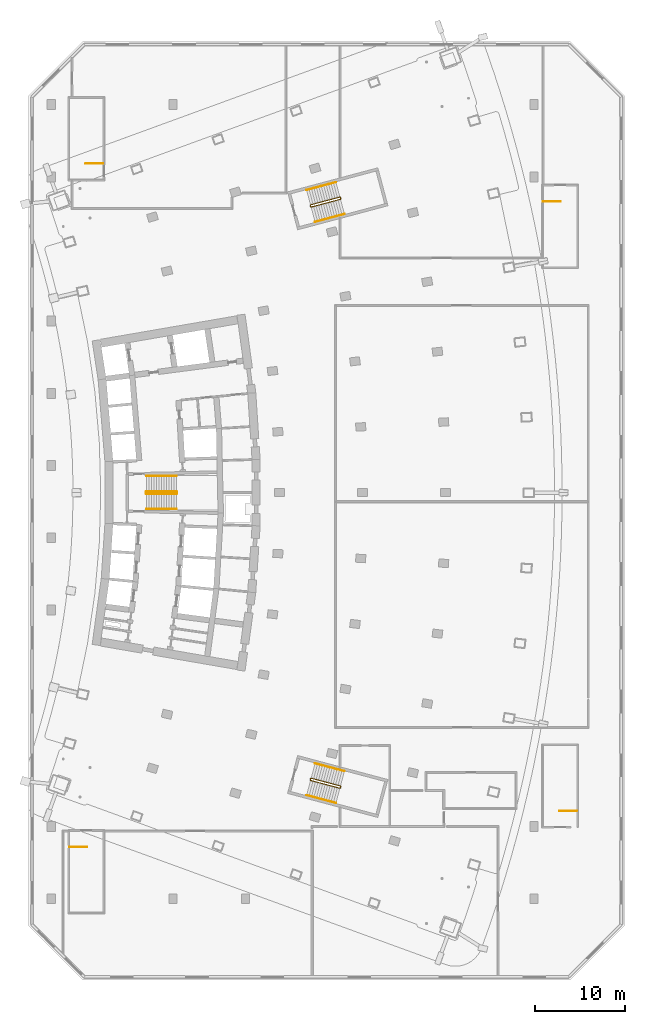
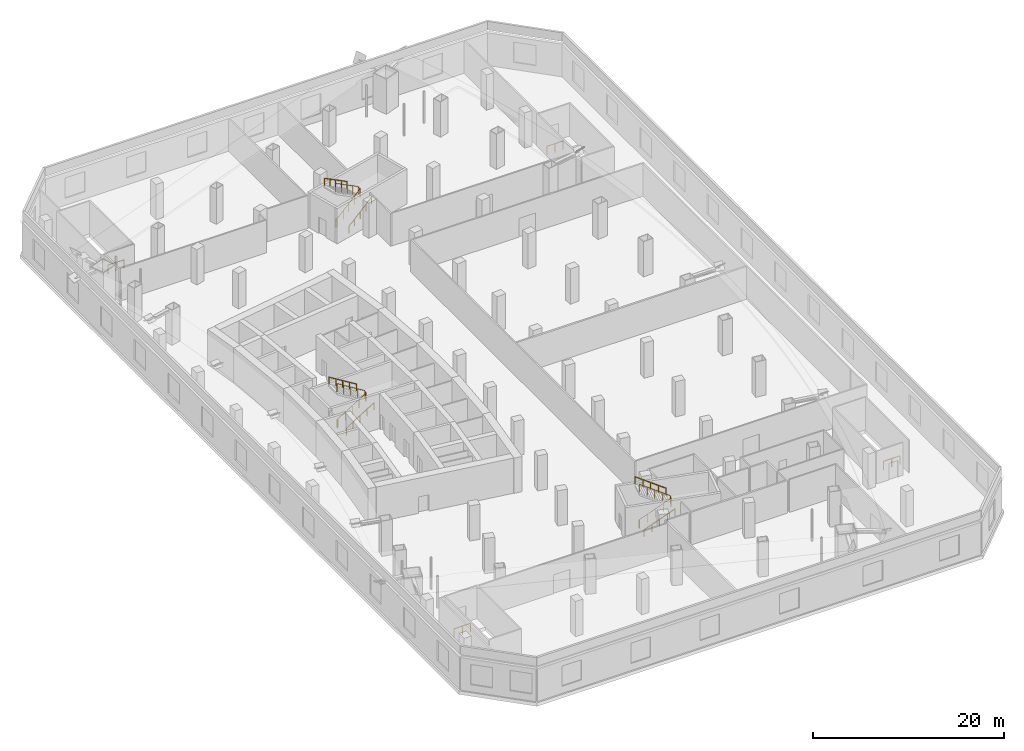
# One storey, part 19 of 19: 13 railings.
"""IFC4 building model written with IfcOpenShell, lengths in metres."""

from ifc_helpers import new_model, si_unit, direction, frame, origin, origin_with_axes, origin_2d, place, context, subcontext, project, spatial, rectangle, extrude, material, type_object, element, save


model = new_model("IFC4")

# Units and contexts
model_context = context("Model", 3, precision=1e-05, world=origin(), true_north=direction((0.0, 1.0)))
body_context = subcontext(model_context, "Body", "Model", "MODEL_VIEW")
ifc_project = project(units=[si_unit("LENGTHUNIT", "METRE"), si_unit("AREAUNIT", "SQUARE_METRE"), si_unit("VOLUMEUNIT", "CUBIC_METRE"), si_unit("PLANEANGLEUNIT", "RADIAN"), si_unit("MASSUNIT", "GRAM", prefix="KILO")], contexts=[model_context])

# Site, building, storey
site_placement = place(None, origin())
site = spatial("IfcSite", under=ifc_project, at=site_placement, CompositionType="ELEMENT")
building_placement = place(site_placement, origin())
building = spatial("IfcBuilding", under=site, at=building_placement, Name="Alderwake Tower", CompositionType="ELEMENT")
storey_placement = place(building_placement, frame((0.0, 0.0, 27.5)))
storey = spatial("IfcBuildingStorey", under=building, at=storey_placement, Name="L05", CompositionType="ELEMENT", Elevation=27.5)

# Railings
ifc_material_1 = material(Name="Stainless steel guard", Category="steel")
railing_type_1 = type_object("IfcRailingType", Name="Stair guard 1100", PredefinedType="GUARDRAIL", material=ifc_material_1)
railing_1_placement = place(storey_placement, frame((20.989990234375, 60.925048828125, 0.0)))
element("IfcRailing", 1, at=railing_1_placement, inside=storey, type_object=railing_type_1, Name="L05 ST-B stair guard 1", PredefinedType="GUARDRAIL", context=body_context, shape_type="SweptSolid", body=[
    extrude(rectangle(XDim=0.048095703125, YDim=0.048095703125, at=origin_2d()), frame((0.0, 0.0, 1.076171875), z_axis=(0.0, 1.0, 0.0), x_axis=(-1.0, 0.0, 0.0)), (0.0, 0.0, 1.0), 0.14990234375),
    extrude(rectangle(XDim=0.048095703125, YDim=0.048095703125, at=origin_2d()), frame((0.0, 0.14990234375, 1.076171875), z_axis=(0.185944045274, -0.742869136974, 0.643094283413), x_axis=(0.970072785993, 0.242814311512, 0.0)), (0.0, 0.0, 1.0), 0.26904296875),
    extrude(rectangle(XDim=0.048095703125, YDim=0.048095703125, at=origin_2d()), frame((0.050048828125, -0.050048828125, 1.2490234375), z_axis=(0.850606129759, 0.0, 0.525803396734), x_axis=(0.0, 1.0, 0.0)), (0.0, 0.0, 1.0), 3.949951171875),
    extrude(rectangle(XDim=0.048095703125, YDim=0.048095703125, at=origin_2d()), frame((3.409912109375, -0.050048828125, 3.326171875), z_axis=(0.707106781187, 0.707106781187, 0.0), x_axis=(-0.707106781187, 0.707106781187, 0.0)), (0.0, 0.0, 1.0), 0.07080078125),
    extrude(rectangle(XDim=0.048095703125, YDim=0.048095703125, at=origin_2d()), frame((3.4599609375, 0.0, 3.326171875), z_axis=(0.0, 1.0, 0.0), x_axis=(-1.0, 0.0, 0.0)), (0.0, 0.0, 1.0), 0.14990234375),
    extrude(rectangle(XDim=0.048095703125, YDim=0.048095703125, at=origin_2d()), frame((3.4599609375, 0.14990234375, 3.326171875), z_axis=(-0.267629722418, 0.267629722418, 0.925607186314), x_axis=(-0.707106781187, -0.707106781187, 0.0)), (0.0, 0.0, 1.0), 0.18701171875),
    extrude(rectangle(XDim=0.048095703125, YDim=0.048095703125, at=origin_2d()), frame((3.409912109375, 0.199951171875, 3.4990234375), z_axis=(-0.850606129759, 0.0, 0.525803396734), x_axis=(0.0, -1.0, 0.0)), (0.0, 0.0, 1.0), 3.949951171875),
    extrude(rectangle(XDim=0.0419921875, YDim=0.0419921875, at=origin_2d()), frame((0.0, 0.0, 0.0), z_axis=(0.0, 0.0, 1.0), x_axis=(0.0, 1.0, 0.0)), (0.0, 0.0, 1.0), 1.052001953125),
    extrude(rectangle(XDim=0.0419921875, YDim=0.0419921875, at=origin_2d()), frame((0.0, 0.14990234375, 0.0), z_axis=(0.0, 0.0, 1.0), x_axis=(0.242814311512, -0.970072785993, 0.0)), (0.0, 0.0, 1.0), 1.052001953125),
    extrude(rectangle(XDim=0.0419921875, YDim=0.0419921875, at=origin_2d()), frame((0.050048828125, -0.050048828125, 0.173095703125), z_axis=(0.0, 0.0, 1.0), x_axis=(1.0, 0.0, 0.0)), (0.0, 0.0, 1.0), 1.052001953125),
    extrude(rectangle(XDim=0.0419921875, YDim=0.0419921875, at=origin_2d()), frame((0.89013671875, -0.050048828125, 0.6923828125), z_axis=(0.0, 0.0, 1.0), x_axis=(1.0, 0.0, 0.0)), (0.0, 0.0, 1.0), 1.052001953125),
    extrude(rectangle(XDim=0.0419921875, YDim=0.0419921875, at=origin_2d()), frame((1.72998046875, -0.050048828125, 1.21142578125), z_axis=(0.0, 0.0, 1.0), x_axis=(1.0, 0.0, 0.0)), (0.0, 0.0, 1.0), 1.052001953125),
    extrude(rectangle(XDim=0.0419921875, YDim=0.0419921875, at=origin_2d()), frame((2.56982421875, -0.050048828125, 1.730712890625), z_axis=(0.0, 0.0, 1.0), x_axis=(1.0, 0.0, 0.0)), (0.0, 0.0, 1.0), 1.052001953125),
    extrude(rectangle(XDim=0.0419921875, YDim=0.0419921875, at=origin_2d()), frame((3.409912109375, -0.050048828125, 2.25), z_axis=(0.0, 0.0, 1.0), x_axis=(0.707106781187, 0.707106781187, 0.0)), (0.0, 0.0, 1.0), 1.052001953125),
    extrude(rectangle(XDim=0.0419921875, YDim=0.0419921875, at=origin_2d()), frame((3.4599609375, 0.0, 2.25), z_axis=(0.0, 0.0, 1.0), x_axis=(0.0, 1.0, 0.0)), (0.0, 0.0, 1.0), 1.052001953125),
    extrude(rectangle(XDim=0.0419921875, YDim=0.0419921875, at=origin_2d()), frame((3.4599609375, 0.14990234375, 2.25), z_axis=(0.0, 0.0, 1.0), x_axis=(-0.707106781187, 0.707106781187, 0.0)), (0.0, 0.0, 1.0), 1.052001953125),
    extrude(rectangle(XDim=0.0419921875, YDim=0.0419921875, at=origin_2d()), frame((3.409912109375, 0.199951171875, 2.423095703125), z_axis=(0.0, 0.0, 1.0), x_axis=(-1.0, 0.0, 0.0)), (0.0, 0.0, 1.0), 1.052001953125),
    extrude(rectangle(XDim=0.0419921875, YDim=0.0419921875, at=origin_2d()), frame((2.56982421875, 0.199951171875, 2.9423828125), z_axis=(0.0, 0.0, 1.0), x_axis=(-1.0, 0.0, 0.0)), (0.0, 0.0, 1.0), 1.052001953125),
    extrude(rectangle(XDim=0.0419921875, YDim=0.0419921875, at=origin_2d()), frame((1.72998046875, 0.199951171875, 3.46142578125), z_axis=(0.0, 0.0, 1.0), x_axis=(-1.0, 0.0, 0.0)), (0.0, 0.0, 1.0), 1.052001953125),
    extrude(rectangle(XDim=0.0419921875, YDim=0.0419921875, at=origin_2d()), frame((0.89013671875, 0.199951171875, 3.980712890625), z_axis=(0.0, 0.0, 1.0), x_axis=(-1.0, 0.0, 0.0)), (0.0, 0.0, 1.0), 1.052001953125),
    extrude(rectangle(XDim=0.0419921875, YDim=0.0419921875, at=origin_2d()), frame((0.050048828125, 0.199951171875, 4.5), z_axis=(0.0, 0.0, 1.0), x_axis=(-1.0, 0.0, 0.0)), (0.0, 0.0, 1.0), 1.052001953125),
])
railing_2_placement = place(storey_placement, frame((39.23291015625, 92.6806640625, 0.0)))
element("IfcRailing", 2, at=railing_2_placement, inside=storey, type_object=railing_type_1, Name="L05 ST-A stair guard 1", PredefinedType="GUARDRAIL", context=body_context, shape_type="SweptSolid", body=[
    extrude(rectangle(XDim=0.048095703125, YDim=0.048095703125, at=origin_2d()), frame((0.0, 0.0, 1.076171875), z_axis=(-0.257055032184, 0.966396766566, 0.0), x_axis=(-0.966396766566, -0.257055032184, 0.0)), (0.0, 0.0, 1.0), 0.150146484375),
    extrude(rectangle(XDim=0.048095703125, YDim=0.048095703125, at=origin_2d()), frame((-0.03857421875, 0.14501953125, 1.076171875), z_axis=(0.370887075343, -0.67013581584, 0.642931384886), x_axis=(0.874937996095, 0.484234966715, 0.0)), (0.0, 0.0, 1.0), 0.269287109375),
    extrude(rectangle(XDim=0.048095703125, YDim=0.048095703125, at=origin_2d()), frame((0.061279296875, -0.035400390625, 1.2490234375), z_axis=(0.821951815101, 0.218977011873, 0.525779689531), x_axis=(-0.257432002611, 0.966296416237, 0.0)), (0.0, 0.0, 1.0), 3.9501953125),
    extrude(rectangle(XDim=0.048095703125, YDim=0.048095703125, at=origin_2d()), frame((3.30810546875, 0.82958984375, 3.326171875), z_axis=(0.501718089772, 0.865031189262, 0.0), x_axis=(-0.865031189262, 0.501718089772, 0.0)), (0.0, 0.0, 1.0), 0.070556640625),
    extrude(rectangle(XDim=0.048095703125, YDim=0.048095703125, at=origin_2d()), frame((3.343505859375, 0.890625, 3.326171875), z_axis=(-0.257055032184, 0.966396766566, 0.0), x_axis=(-0.966396766566, -0.257055032184, 0.0)), (0.0, 0.0, 1.0), 0.150146484375),
    extrude(rectangle(XDim=0.048095703125, YDim=0.048095703125, at=origin_2d()), frame((3.304931640625, 1.03564453125, 3.326171875), z_axis=(-0.327689923189, 0.189302943675, 0.925626117693), x_axis=(-0.500220121494, -0.865898279276, 0.0)), (0.0, 0.0, 1.0), 0.18701171875),
    extrude(rectangle(XDim=0.048095703125, YDim=0.048095703125, at=origin_2d()), frame((3.24365234375, 1.071044921875, 3.4990234375), z_axis=(-0.821962938046, -0.218918168777, 0.525786804569), x_axis=(0.257364156602, -0.966314488609, 0.0)), (0.0, 0.0, 1.0), 3.9501953125),
    extrude(rectangle(XDim=0.0419921875, YDim=0.0419921875, at=origin_2d()), frame((0.0, 0.0, 0.0), z_axis=(0.0, 0.0, 1.0), x_axis=(-0.257055032184, 0.966396766566, 0.0)), (0.0, 0.0, 1.0), 1.052001953125),
    extrude(rectangle(XDim=0.0419921875, YDim=0.0419921875, at=origin_2d()), frame((-0.03857421875, 0.14501953125, 0.0), z_axis=(0.0, 0.0, 1.0), x_axis=(0.484234966715, -0.874937996095, 0.0)), (0.0, 0.0, 1.0), 1.052001953125),
    extrude(rectangle(XDim=0.0419921875, YDim=0.0419921875, at=origin_2d()), frame((0.061279296875, -0.035400390625, 0.173095703125), z_axis=(0.0, 0.0, 1.0), x_axis=(0.966296416237, 0.257432002611, 0.0)), (0.0, 0.0, 1.0), 1.052001953125),
    extrude(rectangle(XDim=0.0419921875, YDim=0.0419921875, at=origin_2d()), frame((0.873046875, 0.180908203125, 0.6923828125), z_axis=(0.0, 0.0, 1.0), x_axis=(0.966296416237, 0.257432002611, 0.0)), (0.0, 0.0, 1.0), 1.052001953125),
    extrude(rectangle(XDim=0.0419921875, YDim=0.0419921875, at=origin_2d()), frame((1.6845703125, 0.39697265625, 1.21142578125), z_axis=(0.0, 0.0, 1.0), x_axis=(0.966296416237, 0.257432002611, 0.0)), (0.0, 0.0, 1.0), 1.052001953125),
    extrude(rectangle(XDim=0.0419921875, YDim=0.0419921875, at=origin_2d()), frame((2.496337890625, 0.61328125, 1.730712890625), z_axis=(0.0, 0.0, 1.0), x_axis=(0.966296416237, 0.257432002611, 0.0)), (0.0, 0.0, 1.0), 1.052001953125),
    extrude(rectangle(XDim=0.0419921875, YDim=0.0419921875, at=origin_2d()), frame((3.30810546875, 0.82958984375, 2.25), z_axis=(0.0, 0.0, 1.0), x_axis=(0.501718089772, 0.865031189262, 0.0)), (0.0, 0.0, 1.0), 1.052001953125),
    extrude(rectangle(XDim=0.0419921875, YDim=0.0419921875, at=origin_2d()), frame((3.343505859375, 0.890625, 2.25), z_axis=(0.0, 0.0, 1.0), x_axis=(-0.257055032184, 0.966396766566, 0.0)), (0.0, 0.0, 1.0), 1.052001953125),
    extrude(rectangle(XDim=0.0419921875, YDim=0.0419921875, at=origin_2d()), frame((3.304931640625, 1.03564453125, 2.25), z_axis=(0.0, 0.0, 1.0), x_axis=(-0.865898279276, 0.500220121494, 0.0)), (0.0, 0.0, 1.0), 1.052001953125),
    extrude(rectangle(XDim=0.0419921875, YDim=0.0419921875, at=origin_2d()), frame((3.24365234375, 1.071044921875, 2.423095703125), z_axis=(0.0, 0.0, 1.0), x_axis=(-0.966314488609, -0.257364156602, 0.0)), (0.0, 0.0, 1.0), 1.052001953125),
    extrude(rectangle(XDim=0.0419921875, YDim=0.0419921875, at=origin_2d()), frame((2.431884765625, 0.85498046875, 2.9423828125), z_axis=(0.0, 0.0, 1.0), x_axis=(-0.966314488609, -0.257364156602, 0.0)), (0.0, 0.0, 1.0), 1.052001953125),
    extrude(rectangle(XDim=0.0419921875, YDim=0.0419921875, at=origin_2d()), frame((1.6201171875, 0.638671875, 3.46142578125), z_axis=(0.0, 0.0, 1.0), x_axis=(-0.966314488609, -0.257364156602, 0.0)), (0.0, 0.0, 1.0), 1.052001953125),
    extrude(rectangle(XDim=0.0419921875, YDim=0.0419921875, at=origin_2d()), frame((0.80859375, 0.42236328125, 3.980712890625), z_axis=(0.0, 0.0, 1.0), x_axis=(-0.966314488609, -0.257364156602, 0.0)), (0.0, 0.0, 1.0), 1.052001953125),
    extrude(rectangle(XDim=0.0419921875, YDim=0.0419921875, at=origin_2d()), frame((-0.003173828125, 0.206298828125, 4.5), z_axis=(0.0, 0.0, 1.0), x_axis=(-0.966314488609, -0.257364156602, 0.0)), (0.0, 0.0, 1.0), 1.052001953125),
])
railing_3_placement = place(storey_placement, frame((39.1943359375, 29.17431640625, 0.0)))
element("IfcRailing", 3, at=railing_3_placement, inside=storey, type_object=railing_type_1, Name="L05 ST-C stair guard 1", PredefinedType="GUARDRAIL", context=body_context, shape_type="SweptSolid", body=[
    extrude(rectangle(XDim=0.048095703125, YDim=0.048095703125, at=origin_2d()), frame((0.0, 0.0, 1.076171875), z_axis=(0.257459803502, 0.966289009345, 0.0), x_axis=(-0.966289009345, 0.257459803502, 0.0)), (0.0, 0.0, 1.0), 0.14990234375),
    extrude(rectangle(XDim=0.048095703125, YDim=0.048095703125, at=origin_2d()), frame((0.03857421875, 0.144775390625, 1.076171875), z_axis=(-0.011792936868, -0.765633747404, 0.643168633779), x_axis=(0.999881397308, -0.015401016783, 0.0)), (0.0, 0.0, 1.0), 0.26904296875),
    extrude(rectangle(XDim=0.048095703125, YDim=0.048095703125, at=origin_2d()), frame((0.035400390625, -0.061279296875, 1.2490234375), z_axis=(0.821962938046, -0.218918168777, 0.525786804569), x_axis=(0.257364156602, 0.966314488609, 0.0)), (0.0, 0.0, 1.0), 3.9501953125),
    extrude(rectangle(XDim=0.048095703125, YDim=0.048095703125, at=origin_2d()), frame((3.2822265625, -0.926025390625, 3.326171875), z_axis=(0.865898279276, 0.500220121494, 0.0), x_axis=(-0.500220121494, 0.865898279276, 0.0)), (0.0, 0.0, 1.0), 0.07080078125),
    extrude(rectangle(XDim=0.048095703125, YDim=0.048095703125, at=origin_2d()), frame((3.343505859375, -0.890625, 3.326171875), z_axis=(0.257055032184, 0.966396766566, 0.0), x_axis=(-0.966396766566, 0.257055032184, 0.0)), (0.0, 0.0, 1.0), 0.150146484375),
    extrude(rectangle(XDim=0.048095703125, YDim=0.048095703125, at=origin_2d()), frame((3.382080078125, -0.74560546875, 3.326171875), z_axis=(-0.189383820124, 0.3265238278, 0.926021575642), x_axis=(-0.865031189262, -0.501718089772, 0.0)), (0.0, 0.0, 1.0), 0.18701171875),
    extrude(rectangle(XDim=0.048095703125, YDim=0.048095703125, at=origin_2d()), frame((3.3466796875, -0.6845703125, 3.4990234375), z_axis=(-0.821951815101, 0.218977011873, 0.525779689531), x_axis=(-0.257432002611, -0.966296416237, 0.0)), (0.0, 0.0, 1.0), 3.9501953125),
    extrude(rectangle(XDim=0.0419921875, YDim=0.0419921875, at=origin_2d()), frame((0.0, 0.0, 0.0), z_axis=(0.0, 0.0, 1.0), x_axis=(0.257459803502, 0.966289009345, 0.0)), (0.0, 0.0, 1.0), 1.052001953125),
    extrude(rectangle(XDim=0.0419921875, YDim=0.0419921875, at=origin_2d()), frame((0.03857421875, 0.144775390625, 0.0), z_axis=(0.0, 0.0, 1.0), x_axis=(-0.015401016783, -0.999881397308, 0.0)), (0.0, 0.0, 1.0), 1.052001953125),
    extrude(rectangle(XDim=0.0419921875, YDim=0.0419921875, at=origin_2d()), frame((0.035400390625, -0.061279296875, 0.173095703125), z_axis=(0.0, 0.0, 1.0), x_axis=(0.966314488609, -0.257364156602, 0.0)), (0.0, 0.0, 1.0), 1.052001953125),
    extrude(rectangle(XDim=0.0419921875, YDim=0.0419921875, at=origin_2d()), frame((0.84716796875, -0.27734375, 0.6923828125), z_axis=(0.0, 0.0, 1.0), x_axis=(0.966314488609, -0.257364156602, 0.0)), (0.0, 0.0, 1.0), 1.052001953125),
    extrude(rectangle(XDim=0.0419921875, YDim=0.0419921875, at=origin_2d()), frame((1.65869140625, -0.49365234375, 1.21142578125), z_axis=(0.0, 0.0, 1.0), x_axis=(0.966314488609, -0.257364156602, 0.0)), (0.0, 0.0, 1.0), 1.052001953125),
    extrude(rectangle(XDim=0.0419921875, YDim=0.0419921875, at=origin_2d()), frame((2.470458984375, -0.7099609375, 1.730712890625), z_axis=(0.0, 0.0, 1.0), x_axis=(0.966314488609, -0.257364156602, 0.0)), (0.0, 0.0, 1.0), 1.052001953125),
    extrude(rectangle(XDim=0.0419921875, YDim=0.0419921875, at=origin_2d()), frame((3.2822265625, -0.926025390625, 2.25), z_axis=(0.0, 0.0, 1.0), x_axis=(0.865898279276, 0.500220121494, 0.0)), (0.0, 0.0, 1.0), 1.052001953125),
    extrude(rectangle(XDim=0.0419921875, YDim=0.0419921875, at=origin_2d()), frame((3.343505859375, -0.890625, 2.25), z_axis=(0.0, 0.0, 1.0), x_axis=(0.257055032184, 0.966396766566, 0.0)), (0.0, 0.0, 1.0), 1.052001953125),
    extrude(rectangle(XDim=0.0419921875, YDim=0.0419921875, at=origin_2d()), frame((3.382080078125, -0.74560546875, 2.25), z_axis=(0.0, 0.0, 1.0), x_axis=(-0.501718089772, 0.865031189262, 0.0)), (0.0, 0.0, 1.0), 1.052001953125),
    extrude(rectangle(XDim=0.0419921875, YDim=0.0419921875, at=origin_2d()), frame((3.3466796875, -0.6845703125, 2.423095703125), z_axis=(0.0, 0.0, 1.0), x_axis=(-0.966296416237, 0.257432002611, 0.0)), (0.0, 0.0, 1.0), 1.052001953125),
    extrude(rectangle(XDim=0.0419921875, YDim=0.0419921875, at=origin_2d()), frame((2.534912109375, -0.46826171875, 2.9423828125), z_axis=(0.0, 0.0, 1.0), x_axis=(-0.966296416237, 0.257432002611, 0.0)), (0.0, 0.0, 1.0), 1.052001953125),
    extrude(rectangle(XDim=0.0419921875, YDim=0.0419921875, at=origin_2d()), frame((1.72314453125, -0.251953125, 3.46142578125), z_axis=(0.0, 0.0, 1.0), x_axis=(-0.966296416237, 0.257432002611, 0.0)), (0.0, 0.0, 1.0), 1.052001953125),
    extrude(rectangle(XDim=0.0419921875, YDim=0.0419921875, at=origin_2d()), frame((0.91162109375, -0.035888671875, 3.980712890625), z_axis=(0.0, 0.0, 1.0), x_axis=(-0.966296416237, 0.257432002611, 0.0)), (0.0, 0.0, 1.0), 1.052001953125),
    extrude(rectangle(XDim=0.0419921875, YDim=0.0419921875, at=origin_2d()), frame((0.099853515625, 0.180419921875, 4.5), z_axis=(0.0, 0.0, 1.0), x_axis=(-0.966296416237, 0.257432002611, 0.0)), (0.0, 0.0, 1.0), 1.052001953125),
])
railing_4_placement = place(storey_placement, frame((12.5, 21.75, 0.0)))
element("IfcRailing", 4, at=railing_4_placement, inside=storey, type_object=railing_type_1, Name="L05 ST-P1 top well guard 1", PredefinedType="GUARDRAIL", context=body_context, shape_type="SweptSolid", body=[
    extrude(rectangle(XDim=0.048095703125, YDim=0.048095703125, at=origin_2d()), frame((0.0, 0.0, 1.076171875), z_axis=(1.0, 0.0, 0.0), x_axis=(0.0, 1.0, 0.0)), (0.0, 0.0, 1.0), 1.949951171875),
    extrude(rectangle(XDim=0.0419921875, YDim=0.0419921875, at=origin_2d()), origin_with_axes(), (0.0, 0.0, 1.0), 1.052001953125),
    extrude(rectangle(XDim=0.0419921875, YDim=0.0419921875, at=origin_2d()), frame((0.97509765625, 0.0, 0.0), z_axis=(0.0, 0.0, 1.0), x_axis=(1.0, 0.0, 0.0)), (0.0, 0.0, 1.0), 1.052001953125),
    extrude(rectangle(XDim=0.0419921875, YDim=0.0419921875, at=origin_2d()), frame((1.949951171875, 0.0, 0.0), z_axis=(0.0, 0.0, 1.0), x_axis=(1.0, 0.0, 0.0)), (0.0, 0.0, 1.0), 1.052001953125),
])
railing_5_placement = place(storey_placement, frame((16.25, 97.449951171875, 0.0)))
element("IfcRailing", 5, at=railing_5_placement, inside=storey, type_object=railing_type_1, Name="L05 ST-P2 top well guard 1", PredefinedType="GUARDRAIL", context=body_context, shape_type="SweptSolid", body=[
    extrude(rectangle(XDim=0.048095703125, YDim=0.048095703125, at=origin_2d()), frame((0.0, 0.0, 1.076171875), z_axis=(-1.0, 0.0, 0.0), x_axis=(0.0, -1.0, 0.0)), (0.0, 0.0, 1.0), 1.949951171875),
    extrude(rectangle(XDim=0.0419921875, YDim=0.0419921875, at=origin_2d()), frame((0.0, 0.0, 0.0), z_axis=(0.0, 0.0, 1.0), x_axis=(-1.0, 0.0, 0.0)), (0.0, 0.0, 1.0), 1.052001953125),
    extrude(rectangle(XDim=0.0419921875, YDim=0.0419921875, at=origin_2d()), frame((-0.97509765625, 0.0, 0.0), z_axis=(0.0, 0.0, 1.0), x_axis=(-1.0, 0.0, 0.0)), (0.0, 0.0, 1.0), 1.052001953125),
    extrude(rectangle(XDim=0.0419921875, YDim=0.0419921875, at=origin_2d()), frame((-1.949951171875, 0.0, 0.0), z_axis=(0.0, 0.0, 1.0), x_axis=(-1.0, 0.0, 0.0)), (0.0, 0.0, 1.0), 1.052001953125),
])
railing_6_placement = place(storey_placement, frame((65.0, 93.25, 0.0)))
element("IfcRailing", 6, at=railing_6_placement, inside=storey, type_object=railing_type_1, Name="L05 ST-P3 top well guard 1", PredefinedType="GUARDRAIL", context=body_context, shape_type="SweptSolid", body=[
    extrude(rectangle(XDim=0.048095703125, YDim=0.048095703125, at=origin_2d()), frame((0.0, 0.0, 1.076171875), z_axis=(1.0, 0.0, 0.0), x_axis=(0.0, 1.0, 0.0)), (0.0, 0.0, 1.0), 1.949951171875),
    extrude(rectangle(XDim=0.0419921875, YDim=0.0419921875, at=origin_2d()), origin_with_axes(), (0.0, 0.0, 1.0), 1.052001953125),
    extrude(rectangle(XDim=0.0419921875, YDim=0.0419921875, at=origin_2d()), frame((0.97509765625, 0.0, 0.0), z_axis=(0.0, 0.0, 1.0), x_axis=(1.0, 0.0, 0.0)), (0.0, 0.0, 1.0), 1.052001953125),
    extrude(rectangle(XDim=0.0419921875, YDim=0.0419921875, at=origin_2d()), frame((1.949951171875, 0.0, 0.0), z_axis=(0.0, 0.0, 1.0), x_axis=(1.0, 0.0, 0.0)), (0.0, 0.0, 1.0), 1.052001953125),
])
railing_7_placement = place(storey_placement, frame((68.75, 25.75, 0.0)))
element("IfcRailing", 7, at=railing_7_placement, inside=storey, type_object=railing_type_1, Name="L05 ST-P4 top well guard 1", PredefinedType="GUARDRAIL", context=body_context, shape_type="SweptSolid", body=[
    extrude(rectangle(XDim=0.048095703125, YDim=0.048095703125, at=origin_2d()), frame((0.0, 0.0, 1.076171875), z_axis=(-1.0, 0.0, 0.0), x_axis=(0.0, -1.0, 0.0)), (0.0, 0.0, 1.0), 1.949951171875),
    extrude(rectangle(XDim=0.0419921875, YDim=0.0419921875, at=origin_2d()), frame((0.0, 0.0, 0.0), z_axis=(0.0, 0.0, 1.0), x_axis=(-1.0, 0.0, 0.0)), (0.0, 0.0, 1.0), 1.052001953125),
    extrude(rectangle(XDim=0.0419921875, YDim=0.0419921875, at=origin_2d()), frame((-0.97509765625, 0.0, 0.0), z_axis=(0.0, 0.0, 1.0), x_axis=(-1.0, 0.0, 0.0)), (0.0, 0.0, 1.0), 1.052001953125),
    extrude(rectangle(XDim=0.0419921875, YDim=0.0419921875, at=origin_2d()), frame((-1.949951171875, 0.0, 0.0), z_axis=(0.0, 0.0, 1.0), x_axis=(-1.0, 0.0, 0.0)), (0.0, 0.0, 1.0), 1.052001953125),
])
ifc_material_2 = material(Name="Stainless steel handrail", Category="steel")
railing_type_2 = type_object("IfcRailingType", Name="Stair handrail 900", PredefinedType="HANDRAIL", material=ifc_material_2)
railing_8_placement = place(storey_placement, frame((21.0400390625, 59.175048828125, 0.173095703125)))
element("IfcRailing", 8, at=railing_8_placement, inside=storey, type_object=railing_type_2, Name="L05 ST-B stair handrail 1", PredefinedType="HANDRAIL", context=body_context, shape_type="SweptSolid", body=[
    extrude(rectangle(XDim=0.048095703125, YDim=0.048095703125, at=origin_2d()), frame((0.0, 0.0, 0.8759765625), z_axis=(0.850606129759, 0.0, 0.525803396734), x_axis=(0.0, 1.0, 0.0)), (0.0, 0.0, 1.0), 3.949951171875),
    extrude(rectangle(XDim=0.0419921875, YDim=0.0419921875, at=origin_2d()), origin_with_axes(), (0.0, 0.0, 1.0), 0.851806640625),
    extrude(rectangle(XDim=0.0419921875, YDim=0.0419921875, at=origin_2d()), frame((0.83984375, 0.0, 0.519287109375), z_axis=(0.0, 0.0, 1.0), x_axis=(1.0, 0.0, 0.0)), (0.0, 0.0, 1.0), 0.851806640625),
    extrude(rectangle(XDim=0.0419921875, YDim=0.0419921875, at=origin_2d()), frame((1.679931640625, 0.0, 1.03857421875), z_axis=(0.0, 0.0, 1.0), x_axis=(1.0, 0.0, 0.0)), (0.0, 0.0, 1.0), 0.851806640625),
    extrude(rectangle(XDim=0.0419921875, YDim=0.0419921875, at=origin_2d()), frame((2.52001953125, 0.0, 1.5576171875), z_axis=(0.0, 0.0, 1.0), x_axis=(1.0, 0.0, 0.0)), (0.0, 0.0, 1.0), 0.851806640625),
    extrude(rectangle(XDim=0.0419921875, YDim=0.0419921875, at=origin_2d()), frame((3.35986328125, 0.0, 2.076904296875), z_axis=(0.0, 0.0, 1.0), x_axis=(1.0, 0.0, 0.0)), (0.0, 0.0, 1.0), 0.851806640625),
])
railing_9_placement = place(storey_placement, frame((24.39990234375, 62.824951171875, 2.423095703125)))
element("IfcRailing", 9, at=railing_9_placement, inside=storey, type_object=railing_type_2, Name="L05 ST-B stair handrail 2", PredefinedType="HANDRAIL", context=body_context, shape_type="SweptSolid", body=[
    extrude(rectangle(XDim=0.048095703125, YDim=0.048095703125, at=origin_2d()), frame((0.0, 0.0, 0.8759765625), z_axis=(-0.850606129759, 0.0, 0.525803396734), x_axis=(0.0, -1.0, 0.0)), (0.0, 0.0, 1.0), 3.949951171875),
    extrude(rectangle(XDim=0.0419921875, YDim=0.0419921875, at=origin_2d()), frame((0.0, 0.0, 0.0), z_axis=(0.0, 0.0, 1.0), x_axis=(-1.0, 0.0, 0.0)), (0.0, 0.0, 1.0), 0.851806640625),
    extrude(rectangle(XDim=0.0419921875, YDim=0.0419921875, at=origin_2d()), frame((-0.83984375, 0.0, 0.519287109375), z_axis=(0.0, 0.0, 1.0), x_axis=(-1.0, 0.0, 0.0)), (0.0, 0.0, 1.0), 0.851806640625),
    extrude(rectangle(XDim=0.0419921875, YDim=0.0419921875, at=origin_2d()), frame((-1.679931640625, 0.0, 1.03857421875), z_axis=(0.0, 0.0, 1.0), x_axis=(-1.0, 0.0, 0.0)), (0.0, 0.0, 1.0), 0.851806640625),
    extrude(rectangle(XDim=0.0419921875, YDim=0.0419921875, at=origin_2d()), frame((-2.52001953125, 0.0, 1.5576171875), z_axis=(0.0, 0.0, 1.0), x_axis=(-1.0, 0.0, 0.0)), (0.0, 0.0, 1.0), 0.851806640625),
    extrude(rectangle(XDim=0.0419921875, YDim=0.0419921875, at=origin_2d()), frame((-3.35986328125, 0.0, 2.076904296875), z_axis=(0.0, 0.0, 1.0), x_axis=(-1.0, 0.0, 0.0)), (0.0, 0.0, 1.0), 0.851806640625),
])
railing_10_placement = place(storey_placement, frame((39.731689453125, 91.002685546875, 0.173095703125)))
element("IfcRailing", 10, at=railing_10_placement, inside=storey, type_object=railing_type_2, Name="L05 ST-A stair handrail 1", PredefinedType="HANDRAIL", context=body_context, shape_type="SweptSolid", body=[
    extrude(rectangle(XDim=0.048095703125, YDim=0.048095703125, at=origin_2d()), frame((0.0, 0.0, 0.8759765625), z_axis=(0.821962938046, 0.218918168777, 0.525786804569), x_axis=(-0.257364156602, 0.966314488609, 0.0)), (0.0, 0.0, 1.0), 3.9501953125),
    extrude(rectangle(XDim=0.0419921875, YDim=0.0419921875, at=origin_2d()), frame((0.0, 0.0, 0.0), z_axis=(0.0, 0.0, 1.0), x_axis=(0.966314488609, 0.257364156602, 0.0)), (0.0, 0.0, 1.0), 0.851806640625),
    extrude(rectangle(XDim=0.0419921875, YDim=0.0419921875, at=origin_2d()), frame((0.811767578125, 0.21630859375, 0.519287109375), z_axis=(0.0, 0.0, 1.0), x_axis=(0.966314488609, 0.257364156602, 0.0)), (0.0, 0.0, 1.0), 0.851806640625),
    extrude(rectangle(XDim=0.0419921875, YDim=0.0419921875, at=origin_2d()), frame((1.62353515625, 0.432373046875, 1.03857421875), z_axis=(0.0, 0.0, 1.0), x_axis=(0.966314488609, 0.257364156602, 0.0)), (0.0, 0.0, 1.0), 0.851806640625),
    extrude(rectangle(XDim=0.0419921875, YDim=0.0419921875, at=origin_2d()), frame((2.43505859375, 0.6484375, 1.5576171875), z_axis=(0.0, 0.0, 1.0), x_axis=(0.966314488609, 0.257364156602, 0.0)), (0.0, 0.0, 1.0), 0.851806640625),
    extrude(rectangle(XDim=0.0419921875, YDim=0.0419921875, at=origin_2d()), frame((3.246826171875, 0.86474609375, 2.076904296875), z_axis=(0.0, 0.0, 1.0), x_axis=(0.966314488609, 0.257364156602, 0.0)), (0.0, 0.0, 1.0), 0.851806640625),
])
railing_11_placement = place(storey_placement, frame((42.0390625, 95.39453125, 2.423095703125)))
element("IfcRailing", 11, at=railing_11_placement, inside=storey, type_object=railing_type_2, Name="L05 ST-A stair handrail 2", PredefinedType="HANDRAIL", context=body_context, shape_type="SweptSolid", body=[
    extrude(rectangle(XDim=0.048095703125, YDim=0.048095703125, at=origin_2d()), frame((0.0, 0.0, 0.8759765625), z_axis=(-0.821951815101, -0.218977011873, 0.525779689531), x_axis=(0.257432002611, -0.966296416237, 0.0)), (0.0, 0.0, 1.0), 3.9501953125),
    extrude(rectangle(XDim=0.0419921875, YDim=0.0419921875, at=origin_2d()), frame((0.0, 0.0, 0.0), z_axis=(0.0, 0.0, 1.0), x_axis=(-0.966296416237, -0.257432002611, 0.0)), (0.0, 0.0, 1.0), 0.851806640625),
    extrude(rectangle(XDim=0.0419921875, YDim=0.0419921875, at=origin_2d()), frame((-0.811767578125, -0.21630859375, 0.519287109375), z_axis=(0.0, 0.0, 1.0), x_axis=(-0.966296416237, -0.257432002611, 0.0)), (0.0, 0.0, 1.0), 0.851806640625),
    extrude(rectangle(XDim=0.0419921875, YDim=0.0419921875, at=origin_2d()), frame((-1.62353515625, -0.4326171875, 1.03857421875), z_axis=(0.0, 0.0, 1.0), x_axis=(-0.966296416237, -0.257432002611, 0.0)), (0.0, 0.0, 1.0), 0.851806640625),
    extrude(rectangle(XDim=0.0419921875, YDim=0.0419921875, at=origin_2d()), frame((-2.43505859375, -0.648681640625, 1.5576171875), z_axis=(0.0, 0.0, 1.0), x_axis=(-0.966296416237, -0.257432002611, 0.0)), (0.0, 0.0, 1.0), 0.851806640625),
    extrude(rectangle(XDim=0.0419921875, YDim=0.0419921875, at=origin_2d()), frame((-3.246826171875, -0.864990234375, 2.076904296875), z_axis=(0.0, 0.0, 1.0), x_axis=(-0.966296416237, -0.257432002611, 0.0)), (0.0, 0.0, 1.0), 0.851806640625),
])
railing_12_placement = place(storey_placement, frame((38.792236328125, 27.47021484375, 0.173095703125)))
element("IfcRailing", 12, at=railing_12_placement, inside=storey, type_object=railing_type_2, Name="L05 ST-C stair handrail 1", PredefinedType="HANDRAIL", context=body_context, shape_type="SweptSolid", body=[
    extrude(rectangle(XDim=0.048095703125, YDim=0.048095703125, at=origin_2d()), frame((0.0, 0.0, 0.8759765625), z_axis=(0.821962938046, -0.218918168777, 0.525786804569), x_axis=(0.257364156602, 0.966314488609, 0.0)), (0.0, 0.0, 1.0), 3.9501953125),
    extrude(rectangle(XDim=0.0419921875, YDim=0.0419921875, at=origin_2d()), frame((0.0, 0.0, 0.0), z_axis=(0.0, 0.0, 1.0), x_axis=(0.966314488609, -0.257364156602, 0.0)), (0.0, 0.0, 1.0), 0.851806640625),
    extrude(rectangle(XDim=0.0419921875, YDim=0.0419921875, at=origin_2d()), frame((0.811767578125, -0.21630859375, 0.519287109375), z_axis=(0.0, 0.0, 1.0), x_axis=(0.966314488609, -0.257364156602, 0.0)), (0.0, 0.0, 1.0), 0.851806640625),
    extrude(rectangle(XDim=0.0419921875, YDim=0.0419921875, at=origin_2d()), frame((1.62353515625, -0.432373046875, 1.03857421875), z_axis=(0.0, 0.0, 1.0), x_axis=(0.966314488609, -0.257364156602, 0.0)), (0.0, 0.0, 1.0), 0.851806640625),
    extrude(rectangle(XDim=0.0419921875, YDim=0.0419921875, at=origin_2d()), frame((2.43505859375, -0.6484375, 1.5576171875), z_axis=(0.0, 0.0, 1.0), x_axis=(0.966314488609, -0.257364156602, 0.0)), (0.0, 0.0, 1.0), 0.851806640625),
    extrude(rectangle(XDim=0.0419921875, YDim=0.0419921875, at=origin_2d()), frame((3.246826171875, -0.86474609375, 2.076904296875), z_axis=(0.0, 0.0, 1.0), x_axis=(0.966314488609, -0.257364156602, 0.0)), (0.0, 0.0, 1.0), 0.851806640625),
])
railing_13_placement = place(storey_placement, frame((42.978515625, 30.132568359375, 2.423095703125)))
element("IfcRailing", 13, at=railing_13_placement, inside=storey, type_object=railing_type_2, Name="L05 ST-C stair handrail 2", PredefinedType="HANDRAIL", context=body_context, shape_type="SweptSolid", body=[
    extrude(rectangle(XDim=0.048095703125, YDim=0.048095703125, at=origin_2d()), frame((0.0, 0.0, 0.8759765625), z_axis=(-0.821962938046, 0.218918168777, 0.525786804569), x_axis=(-0.257364156602, -0.966314488609, 0.0)), (0.0, 0.0, 1.0), 3.9501953125),
    extrude(rectangle(XDim=0.0419921875, YDim=0.0419921875, at=origin_2d()), frame((0.0, 0.0, 0.0), z_axis=(0.0, 0.0, 1.0), x_axis=(-0.966314488609, 0.257364156602, 0.0)), (0.0, 0.0, 1.0), 0.851806640625),
    extrude(rectangle(XDim=0.0419921875, YDim=0.0419921875, at=origin_2d()), frame((-0.811767578125, 0.21630859375, 0.519287109375), z_axis=(0.0, 0.0, 1.0), x_axis=(-0.966314488609, 0.257364156602, 0.0)), (0.0, 0.0, 1.0), 0.851806640625),
    extrude(rectangle(XDim=0.0419921875, YDim=0.0419921875, at=origin_2d()), frame((-1.62353515625, 0.432373046875, 1.03857421875), z_axis=(0.0, 0.0, 1.0), x_axis=(-0.966314488609, 0.257364156602, 0.0)), (0.0, 0.0, 1.0), 0.851806640625),
    extrude(rectangle(XDim=0.0419921875, YDim=0.0419921875, at=origin_2d()), frame((-2.43505859375, 0.6484375, 1.5576171875), z_axis=(0.0, 0.0, 1.0), x_axis=(-0.966314488609, 0.257364156602, 0.0)), (0.0, 0.0, 1.0), 0.851806640625),
    extrude(rectangle(XDim=0.0419921875, YDim=0.0419921875, at=origin_2d()), frame((-3.246826171875, 0.86474609375, 2.076904296875), z_axis=(0.0, 0.0, 1.0), x_axis=(-0.966314488609, 0.257364156602, 0.0)), (0.0, 0.0, 1.0), 0.851806640625),
])

save(model, "model.ifc")
